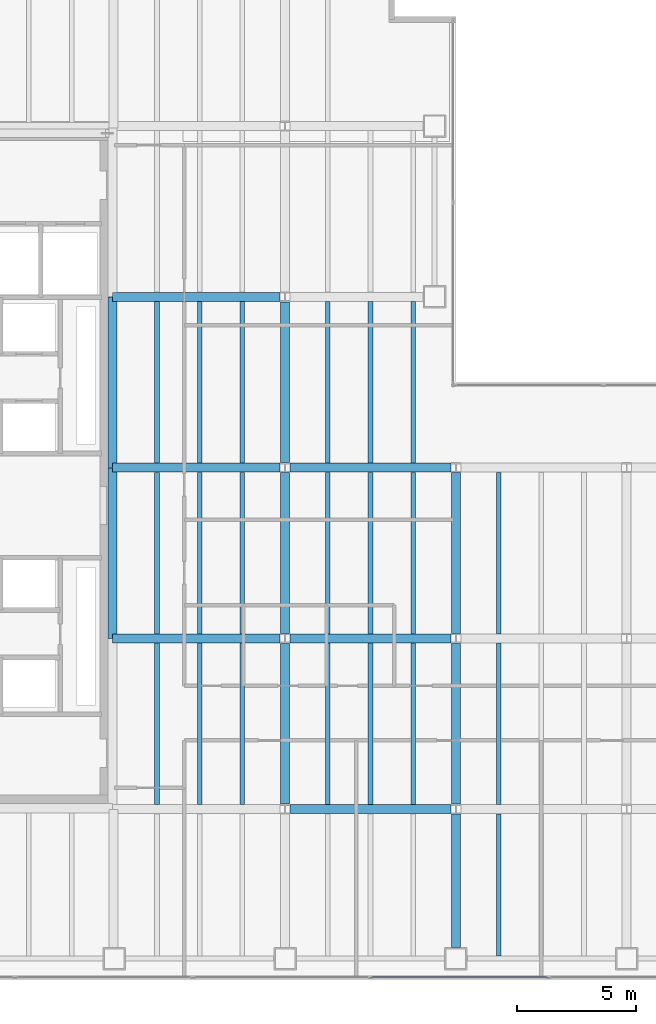
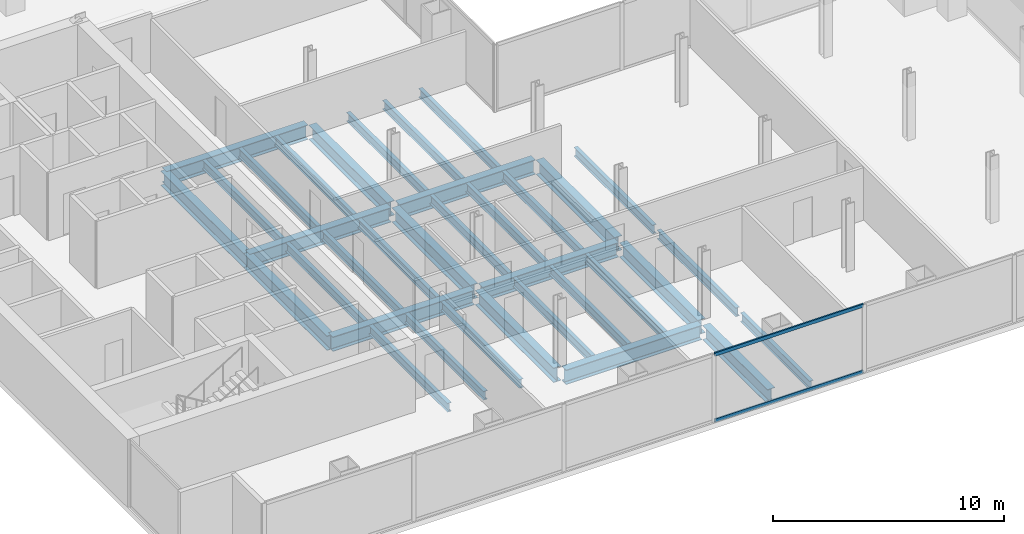
# One storey, part 5 of 24: 35 beams, 2 members, 1 element without a shape of its own.
"""IFC4 building model written with IfcOpenShell, lengths in metres."""

from ifc_helpers import new_model, si_unit, direction, frame, origin, origin_2d, place, context, subcontext, project, spatial, hollow_rectangle, i_section, extrude, material, material_profile, profile_set, type_object, element, aggregate, save


model = new_model("IFC4")

# Units and contexts
model_context = context("Model", 3, precision=1e-05, world=origin(), true_north=direction((0.0, 1.0)))
body_context = subcontext(model_context, "Body", "Model", "MODEL_VIEW")
ifc_project = project(units=[si_unit("LENGTHUNIT", "METRE"), si_unit("AREAUNIT", "SQUARE_METRE"), si_unit("VOLUMEUNIT", "CUBIC_METRE"), si_unit("PLANEANGLEUNIT", "RADIAN"), si_unit("MASSUNIT", "GRAM", prefix="KILO")], contexts=[model_context])

# Site, building, storey
site_placement = place(None, origin())
site = spatial("IfcSite", under=ifc_project, at=site_placement, CompositionType="ELEMENT")
building_placement = place(site_placement, origin())
building = spatial("IfcBuilding", under=site, at=building_placement, Name="Cobrela Telecom Tower", CompositionType="ELEMENT")
storey_placement = place(building_placement, frame((0.0, 0.0, 85.050048828125)))
storey = spatial("IfcBuildingStorey", under=building, at=storey_placement, Name="L21", CompositionType="ELEMENT", Elevation=85.050048828125)

# Beams
ifc_material_1 = material(Name="Steel ASTM A992 Grade 50", Category="steel")
ifc_material_profile_1 = material_profile(ifc_material_1, i_section(OverallWidth=0.381103515625, OverallDepth=0.77197265625, WebThickness=0.0166015625, FlangeThickness=0.027099609375, FilletRadius=0.01904296875, at=origin_2d()), Name="W30X173")
ifc_profile_set_1 = profile_set([ifc_material_profile_1], Name="Steel ASTM A992 Grade 50")
beam_type_1 = type_object("IfcBeamType", Name="BM-GIRD-04", PredefinedType="USERDEFINED", material=ifc_profile_set_1)
beam_1_placement = place(storey_placement, frame((21.8095703125, 7.199951171875, -0.666015625), z_axis=(1.0, 0.0, 0.0), x_axis=(0.0, 1.0, 0.0)))
element("IfcBeam", 1, at=beam_1_placement, inside=storey, type_object=beam_type_1, Name="L21 Primary Girder X09", ObjectType="GIRDER", PredefinedType="USERDEFINED", context=body_context, shape_type="SweptSolid", body=[
    extrude(i_section(OverallWidth=0.381103515625, OverallDepth=0.77197265625, WebThickness=0.0166015625, FlangeThickness=0.027099609375, FilletRadius=0.01904296875, at=origin_2d()), origin(), (0.0, 0.0, 1.0), 6.781005859375),
])
beam_2_placement = place(storey_placement, frame((14.324951171875, 14.39990234375, -0.666015625), z_axis=(1.0, 0.0, 0.0), x_axis=(0.0, 1.0, 0.0)))
element("IfcBeam", 2, at=beam_2_placement, inside=storey, type_object=beam_type_1, Name="L21 Primary Girder X13", ObjectType="GIRDER", PredefinedType="USERDEFINED", context=body_context, shape_type="SweptSolid", body=[
    extrude(i_section(OverallWidth=0.381103515625, OverallDepth=0.77197265625, WebThickness=0.0166015625, FlangeThickness=0.027099609375, FilletRadius=0.01904296875, at=origin_2d()), origin(), (0.0, 0.0, 1.0), 7.0654296875),
])
beam_3_placement = place(storey_placement, frame((21.8095703125, 14.39990234375, -0.666015625), z_axis=(1.0, 0.0, 0.0), x_axis=(0.0, 1.0, 0.0)))
element("IfcBeam", 3, at=beam_3_placement, inside=storey, type_object=beam_type_1, Name="L21 Primary Girder X14", ObjectType="GIRDER", PredefinedType="USERDEFINED", context=body_context, shape_type="SweptSolid", body=[
    extrude(i_section(OverallWidth=0.381103515625, OverallDepth=0.77197265625, WebThickness=0.0166015625, FlangeThickness=0.027099609375, FilletRadius=0.01904296875, at=origin_2d()), origin(), (0.0, 0.0, 1.0), 6.781005859375),
])
beam_4_placement = place(storey_placement, frame((14.324951171875, 21.60009765625, -0.666015625), z_axis=(1.0, 0.0, 0.0), x_axis=(0.0, 1.0, 0.0)))
element("IfcBeam", 4, at=beam_4_placement, inside=storey, type_object=beam_type_1, Name="L21 Primary Girder X18", ObjectType="GIRDER", PredefinedType="USERDEFINED", context=body_context, shape_type="SweptSolid", body=[
    extrude(i_section(OverallWidth=0.381103515625, OverallDepth=0.77197265625, WebThickness=0.0166015625, FlangeThickness=0.027099609375, FilletRadius=0.01904296875, at=origin_2d()), origin(), (0.0, 0.0, 1.0), 7.0654296875),
])
beam_5_placement = place(storey_placement, frame((21.8095703125, 21.60009765625, -0.666015625), z_axis=(1.0, 0.0, 0.0), x_axis=(0.0, 1.0, 0.0)))
element("IfcBeam", 5, at=beam_5_placement, inside=storey, type_object=beam_type_1, Name="L21 Primary Girder X19", ObjectType="GIRDER", PredefinedType="USERDEFINED", context=body_context, shape_type="SweptSolid", body=[
    extrude(i_section(OverallWidth=0.381103515625, OverallDepth=0.77197265625, WebThickness=0.0166015625, FlangeThickness=0.027099609375, FilletRadius=0.01904296875, at=origin_2d()), origin(), (0.0, 0.0, 1.0), 6.781005859375),
])
beam_6_placement = place(storey_placement, frame((14.324951171875, 28.800048828125, -0.666015625), z_axis=(1.0, 0.0, 0.0), x_axis=(0.0, 1.0, 0.0)))
element("IfcBeam", 6, at=beam_6_placement, inside=storey, type_object=beam_type_1, Name="L21 Primary Girder X23", ObjectType="GIRDER", PredefinedType="USERDEFINED", context=body_context, shape_type="SweptSolid", body=[
    extrude(i_section(OverallWidth=0.381103515625, OverallDepth=0.77197265625, WebThickness=0.0166015625, FlangeThickness=0.027099609375, FilletRadius=0.01904296875, at=origin_2d()), origin(), (0.0, 0.0, 1.0), 7.0654296875),
])
for number, where, z_axis, x_axis, name in (
    (7, (14.320068359375, 14.405029296875, -0.666015625), (0.0, 1.0, 0.0), (-1.0, 0.0, 0.0), "L21 Primary Girder Y36"),
    (8, (14.320068359375, 21.60498046875, -0.666015625), (0.0, 1.0, 0.0), (-1.0, 0.0, 0.0), "L21 Primary Girder Y37"),
):
    element("IfcBeam", number, at=place(storey_placement, frame(where, z_axis=z_axis, x_axis=x_axis)), inside=storey, type_object=beam_type_1, Name=name, ObjectType="GIRDER", PredefinedType="USERDEFINED", context=body_context, shape_type="SweptSolid", body=[
        extrude(i_section(OverallWidth=0.381103515625, OverallDepth=0.77197265625, WebThickness=0.0166015625, FlangeThickness=0.027099609375, FilletRadius=0.01904296875, at=origin_2d()), origin(), (0.0, 0.0, 1.0), 7.18994140625),
    ])
beam_7_placement = place(storey_placement, frame((21.60009765625, 7.409423828125, -0.666015625), z_axis=(0.0, 1.0, 0.0), x_axis=(-1.0, 0.0, 0.0)))
element("IfcBeam", 9, at=beam_7_placement, inside=storey, type_object=beam_type_1, Name="L21 Primary Girder Y41", ObjectType="GIRDER", PredefinedType="USERDEFINED", context=body_context, shape_type="SweptSolid", body=[
    extrude(i_section(OverallWidth=0.381103515625, OverallDepth=0.77197265625, WebThickness=0.0166015625, FlangeThickness=0.027099609375, FilletRadius=0.01904296875, at=origin_2d()), origin(), (0.0, 0.0, 1.0), 6.781005859375),
])
beam_8_placement = place(storey_placement, frame((21.60009765625, 14.609619140625, -0.666015625), z_axis=(0.0, 1.0, 0.0), x_axis=(-1.0, 0.0, 0.0)))
element("IfcBeam", 10, at=beam_8_placement, inside=storey, type_object=beam_type_1, Name="L21 Primary Girder Y42", ObjectType="GIRDER", PredefinedType="USERDEFINED", context=body_context, shape_type="SweptSolid", body=[
    extrude(i_section(OverallWidth=0.381103515625, OverallDepth=0.77197265625, WebThickness=0.0166015625, FlangeThickness=0.027099609375, FilletRadius=0.01904296875, at=origin_2d()), origin(), (0.0, 0.0, 1.0), 6.78076171875),
])
beam_9_placement = place(storey_placement, frame((21.60009765625, 21.8095703125, -0.666015625), z_axis=(0.0, 1.0, 0.0), x_axis=(-1.0, 0.0, 0.0)))
element("IfcBeam", 11, at=beam_9_placement, inside=storey, type_object=beam_type_1, Name="L21 Primary Girder Y43", ObjectType="GIRDER", PredefinedType="USERDEFINED", context=body_context, shape_type="SweptSolid", body=[
    extrude(i_section(OverallWidth=0.381103515625, OverallDepth=0.77197265625, WebThickness=0.0166015625, FlangeThickness=0.027099609375, FilletRadius=0.01904296875, at=origin_2d()), origin(), (0.0, 0.0, 1.0), 6.781005859375),
])
beam_10_placement = place(storey_placement, frame((28.800048828125, 1.3798828125, -0.666015625), z_axis=(0.0, 1.0, 0.0), x_axis=(-1.0, 0.0, 0.0)))
element("IfcBeam", 12, at=beam_10_placement, inside=storey, type_object=beam_type_1, Name="L21 Primary Girder Y47", ObjectType="GIRDER", PredefinedType="USERDEFINED", context=body_context, shape_type="SweptSolid", body=[
    extrude(i_section(OverallWidth=0.381103515625, OverallDepth=0.77197265625, WebThickness=0.0166015625, FlangeThickness=0.027099609375, FilletRadius=0.01904296875, at=origin_2d()), origin(), (0.0, 0.0, 1.0), 5.610595703125),
])
beam_11_placement = place(storey_placement, frame((28.800048828125, 7.409423828125, -0.666015625), z_axis=(0.0, 1.0, 0.0), x_axis=(-1.0, 0.0, 0.0)))
element("IfcBeam", 13, at=beam_11_placement, inside=storey, type_object=beam_type_1, Name="L21 Primary Girder Y48", ObjectType="GIRDER", PredefinedType="USERDEFINED", context=body_context, shape_type="SweptSolid", body=[
    extrude(i_section(OverallWidth=0.381103515625, OverallDepth=0.77197265625, WebThickness=0.0166015625, FlangeThickness=0.027099609375, FilletRadius=0.01904296875, at=origin_2d()), origin(), (0.0, 0.0, 1.0), 6.781005859375),
])
beam_12_placement = place(storey_placement, frame((28.800048828125, 14.609619140625, -0.666015625), z_axis=(0.0, 1.0, 0.0), x_axis=(-1.0, 0.0, 0.0)))
element("IfcBeam", 14, at=beam_12_placement, inside=storey, type_object=beam_type_1, Name="L21 Primary Girder Y49", ObjectType="GIRDER", PredefinedType="USERDEFINED", context=body_context, shape_type="SweptSolid", body=[
    extrude(i_section(OverallWidth=0.381103515625, OverallDepth=0.77197265625, WebThickness=0.0166015625, FlangeThickness=0.027099609375, FilletRadius=0.01904296875, at=origin_2d()), origin(), (0.0, 0.0, 1.0), 6.78076171875),
])
ifc_material_profile_2 = material_profile(ifc_material_1, i_section(OverallWidth=0.193115234375, OverallDepth=0.467041015625, WebThickness=0.011474609375, FlangeThickness=0.01904296875, FilletRadius=0.012939453125, at=origin_2d()), Name="W18X65")
ifc_profile_set_2 = profile_set([ifc_material_profile_2], Name="Steel ASTM A992 Grade 50")
beam_type_2 = type_object("IfcBeamType", Name="BM-JOIST-03", PredefinedType="JOIST", material=ifc_profile_set_2)
for number, where, z_axis, x_axis, name in (
    (15, (16.199951171875, 7.3955078125, -0.513427734375), (0.0, 1.0, 0.0), (-1.0, 0.0, 0.0), "L21 Secondary Composite Floor Beam J08"),
    (16, (16.199951171875, 14.595458984375, -0.513427734375), (0.0, 1.0, 0.0), (-1.0, 0.0, 0.0), "L21 Secondary Composite Floor Beam J09"),
    (17, (16.199951171875, 21.79541015625, -0.513427734375), (0.0, 1.0, 0.0), (-1.0, 0.0, 0.0), "L21 Secondary Composite Floor Beam J10"),
    (18, (18.0, 7.3955078125, -0.513427734375), (0.0, 1.0, 0.0), (-1.0, 0.0, 0.0), "L21 Secondary Composite Floor Beam J14"),
    (19, (18.0, 14.595458984375, -0.513427734375), (0.0, 1.0, 0.0), (-1.0, 0.0, 0.0), "L21 Secondary Composite Floor Beam J15"),
    (20, (18.0, 21.79541015625, -0.513427734375), (0.0, 1.0, 0.0), (-1.0, 0.0, 0.0), "L21 Secondary Composite Floor Beam J16"),
    (21, (19.800048828125, 7.3955078125, -0.513427734375), (0.0, 1.0, 0.0), (-1.0, 0.0, 0.0), "L21 Secondary Composite Floor Beam J20"),
    (22, (19.800048828125, 14.595458984375, -0.513427734375), (0.0, 1.0, 0.0), (-1.0, 0.0, 0.0), "L21 Secondary Composite Floor Beam J21"),
    (23, (19.800048828125, 21.79541015625, -0.513427734375), (0.0, 1.0, 0.0), (-1.0, 0.0, 0.0), "L21 Secondary Composite Floor Beam J22"),
    (24, (23.39990234375, 7.3955078125, -0.513427734375), (0.0, 1.0, 0.0), (-1.0, 0.0, 0.0), "L21 Secondary Composite Floor Beam J26"),
    (25, (23.39990234375, 14.595458984375, -0.513427734375), (0.0, 1.0, 0.0), (-1.0, 0.0, 0.0), "L21 Secondary Composite Floor Beam J27"),
    (26, (23.39990234375, 21.79541015625, -0.513427734375), (0.0, 1.0, 0.0), (-1.0, 0.0, 0.0), "L21 Secondary Composite Floor Beam J28"),
    (27, (25.199951171875, 7.3955078125, -0.513427734375), (0.0, 1.0, 0.0), (-1.0, 0.0, 0.0), "L21 Secondary Composite Floor Beam J32"),
    (28, (25.199951171875, 14.595458984375, -0.513427734375), (0.0, 1.0, 0.0), (-1.0, 0.0, 0.0), "L21 Secondary Composite Floor Beam J33"),
    (29, (25.199951171875, 21.79541015625, -0.513427734375), (0.0, 1.0, 0.0), (-1.0, 0.0, 0.0), "L21 Secondary Composite Floor Beam J34"),
    (30, (27.0, 7.3955078125, -0.513427734375), (0.0, 1.0, 0.0), (-1.0, 0.0, 0.0), "L21 Secondary Composite Floor Beam J37"),
    (31, (27.0, 14.595458984375, -0.513427734375), (0.0, 1.0, 0.0), (-1.0, 0.0, 0.0), "L21 Secondary Composite Floor Beam J38"),
    (32, (27.0, 21.79541015625, -0.513427734375), (0.0, 1.0, 0.0), (-1.0, 0.0, 0.0), "L21 Secondary Composite Floor Beam J39"),
):
    element("IfcBeam", number, at=place(storey_placement, frame(where, z_axis=z_axis, x_axis=x_axis)), inside=storey, type_object=beam_type_2, Name=name, PredefinedType="JOIST", context=body_context, shape_type="SweptSolid", body=[
        extrude(i_section(OverallWidth=0.193115234375, OverallDepth=0.467041015625, WebThickness=0.011474609375, FlangeThickness=0.01904296875, FilletRadius=0.012939453125, at=origin_2d()), origin(), (0.0, 0.0, 1.0), 6.80908203125),
    ])
beam_13_placement = place(storey_placement, frame((30.60009765625, 1.011474609375, -0.513427734375), z_axis=(0.0, 1.0, 0.0), x_axis=(-1.0, 0.0, 0.0)))
element("IfcBeam", 33, at=beam_13_placement, inside=storey, type_object=beam_type_2, Name="L21 Secondary Composite Floor Beam J41", PredefinedType="JOIST", context=body_context, shape_type="SweptSolid", body=[
    extrude(i_section(OverallWidth=0.193115234375, OverallDepth=0.467041015625, WebThickness=0.011474609375, FlangeThickness=0.01904296875, FilletRadius=0.012939453125, at=origin_2d()), origin(), (0.0, 0.0, 1.0), 5.992919921875),
])
for number, where, z_axis, x_axis, name in (
    (34, (30.60009765625, 7.3955078125, -0.513427734375), (0.0, 1.0, 0.0), (-1.0, 0.0, 0.0), "L21 Secondary Composite Floor Beam J42"),
    (35, (30.60009765625, 14.595458984375, -0.513427734375), (0.0, 1.0, 0.0), (-1.0, 0.0, 0.0), "L21 Secondary Composite Floor Beam J43"),
):
    element("IfcBeam", number, at=place(storey_placement, frame(where, z_axis=z_axis, x_axis=x_axis)), inside=storey, type_object=beam_type_2, Name=name, PredefinedType="JOIST", context=body_context, shape_type="SweptSolid", body=[
        extrude(i_section(OverallWidth=0.193115234375, OverallDepth=0.467041015625, WebThickness=0.011474609375, FlangeThickness=0.01904296875, FilletRadius=0.012939453125, at=origin_2d()), origin(), (0.0, 0.0, 1.0), 6.80908203125),
    ])

# Curtain wall, members
ifc_material_2 = material(Name="Anodized Bronze Aluminium 6063-T6", Category="aluminium")
curtain_wall_type = type_object("IfcCurtainWallType", Name="CW-SYS-DATA", PredefinedType="USERDEFINED", material=ifc_material_2)
curtain_wall_placement = place(storey_placement, origin())
curtain_wall = element("IfcCurtainWall", 36, at=curtain_wall_placement, inside=storey, type_object=curtain_wall_type, Name="L21 Unitised Bronze Curtain Wall 17", ObjectType="UNITISED CURTAIN WALL", PredefinedType="USERDEFINED")
ifc_material_profile_3 = material_profile(ifc_material_2, hollow_rectangle(XDim=0.074951171875, YDim=0.179931640625, WallThickness=0.00390625, at=origin_2d()), Name="ALU 75x180x4")
ifc_profile_set_3 = profile_set([ifc_material_profile_3], Name="Anodized Bronze Aluminium 6063-T6")
member_type = type_object("IfcMemberType", Name="CW-SYS-DATA-TRN", PredefinedType="USERDEFINED", material=ifc_profile_set_3)
member_1_placement = place(storey_placement, frame((32.65673828125, 0.1201171875, 0.037353515625), z_axis=(-1.0, 0.0, 0.0), x_axis=(0.0, -1.0, 0.0)))
member_1 = element("IfcMember", 37, at=member_1_placement, type_object=member_type, Name="CW-DATA transom 3.1", ObjectType="TRANSOM", PredefinedType="USERDEFINED", context=body_context, shape_type="SweptSolid", body=[
    extrude(hollow_rectangle(XDim=0.074951171875, YDim=0.179931640625, WallThickness=0.00390625, at=origin_2d()), origin(), (0.0, 0.0, 1.0), 7.416748046875),
])
member_2_placement = place(storey_placement, frame((32.65673828125, 0.1201171875, 3.532470703125), z_axis=(-1.0, 0.0, 0.0), x_axis=(0.0, -1.0, 0.0)))
member_2 = element("IfcMember", 38, at=member_2_placement, type_object=member_type, Name="CW-DATA transom 3.2", ObjectType="TRANSOM", PredefinedType="USERDEFINED", context=body_context, shape_type="SweptSolid", body=[
    extrude(hollow_rectangle(XDim=0.074951171875, YDim=0.179931640625, WallThickness=0.00390625, at=origin_2d()), origin(), (0.0, 0.0, 1.0), 7.416748046875),
])
aggregate(curtain_wall, [member_1, member_2])

save(model, "model.ifc")
